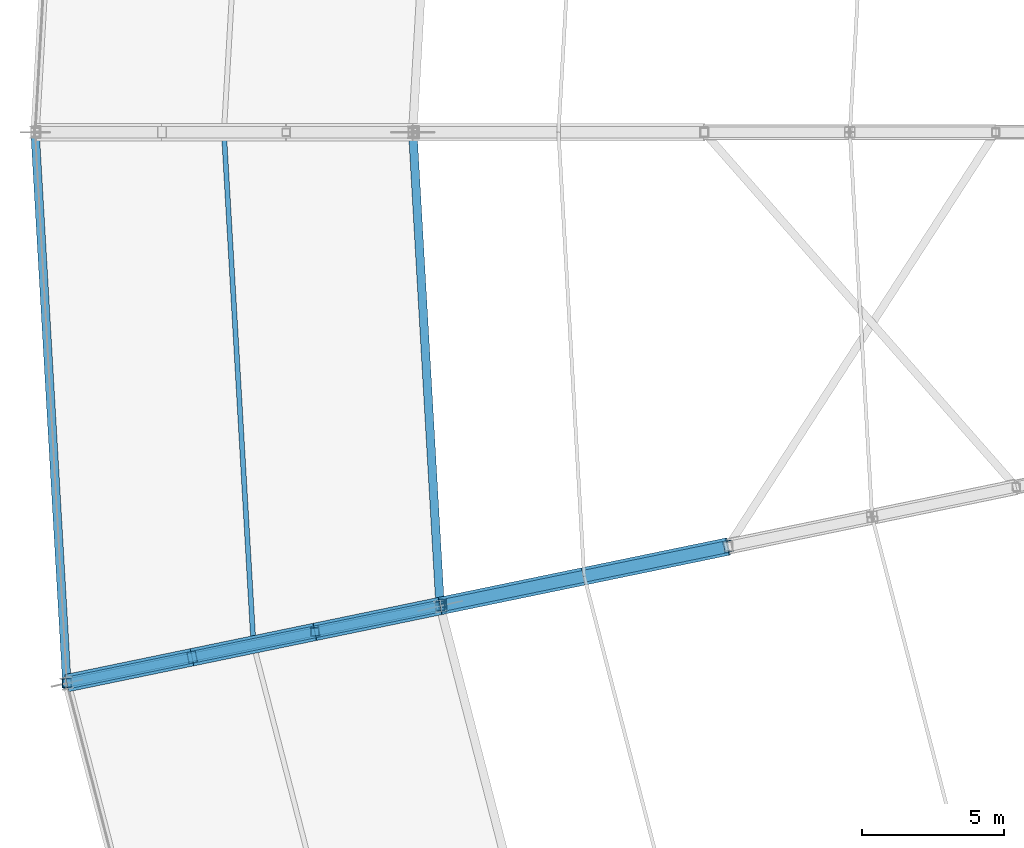
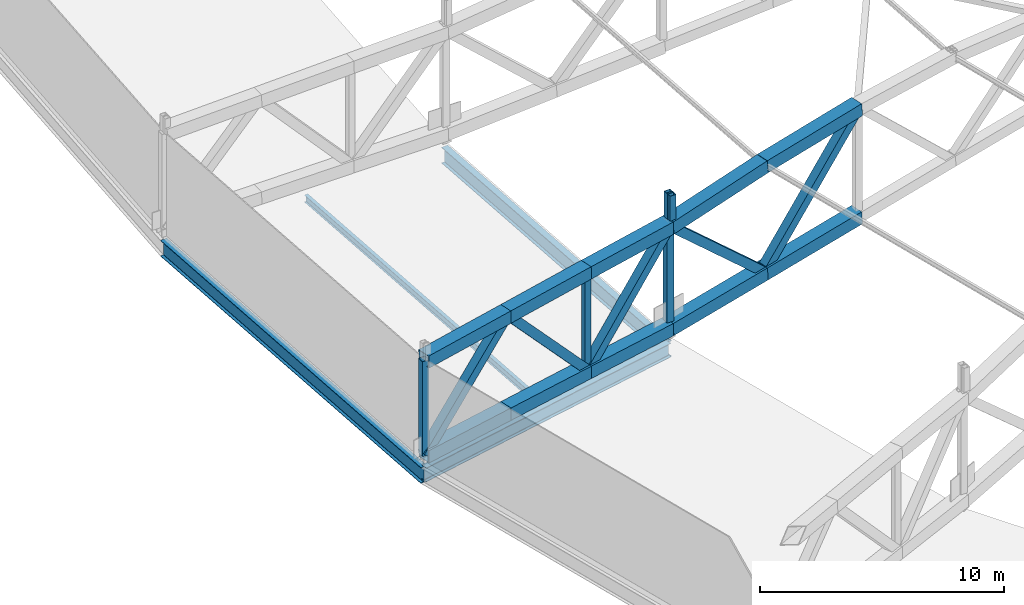
# One storey, part 36 of 162: 20 members, 4 beams.
"""IFC4 building model written with IfcOpenShell, lengths in metres."""

from ifc_helpers import new_model, si_unit, direction, frame, origin, origin_2d, place, context, subcontext, project, spatial, hollow_rectangle, i_section, extrude, material, material_profile, profile_set, type_object, element, save


model = new_model("IFC4")

# Units and contexts
model_context = context("Model", 3, precision=1e-05, world=origin(), true_north=direction((0.0, 1.0)))
body_context = subcontext(model_context, "Body", "Model", "MODEL_VIEW")
ifc_project = project(units=[si_unit("LENGTHUNIT", "METRE"), si_unit("AREAUNIT", "SQUARE_METRE"), si_unit("VOLUMEUNIT", "CUBIC_METRE"), si_unit("PLANEANGLEUNIT", "RADIAN"), si_unit("MASSUNIT", "GRAM", prefix="KILO")], contexts=[model_context])

# Site, building, storey
site_placement = place(None, origin())
site = spatial("IfcSite", under=ifc_project, at=site_placement, CompositionType="ELEMENT")
building_placement = place(site_placement, origin())
building = spatial("IfcBuilding", under=site, at=building_placement, Name="Kazemori Nagisa Stadium", CompositionType="ELEMENT")
storey_placement = place(building_placement, frame((0.0, 0.0, 36.719970703125)))
storey = spatial("IfcBuildingStorey", under=building, at=storey_placement, Name="RF", CompositionType="ELEMENT", Elevation=36.719970703125)

# Beams
ifc_material_1 = material(Name="Steel SN490B", Category="steel")
ifc_material_profile_1 = material_profile(ifc_material_1, i_section(OverallWidth=0.300048828125, OverallDepth=0.699951171875, WebThickness=0.012939453125, FlangeThickness=0.02392578125, FilletRadius=0.01806640625, at=origin_2d()), Name="H-700x300x13x24")
ifc_profile_set_1 = profile_set([ifc_material_profile_1], Name="Steel SN490B")
beam_type_1 = type_object("IfcBeamType", Name="Beam_BG-H700", PredefinedType="BEAM", material=ifc_profile_set_1)
beam_1_placement = place(storey_placement, frame((42.262451171875, 85.31787109375, -0.6298828125), z_axis=(-0.979315516463, -0.202339119339, 0.0), x_axis=(0.202339119339, -0.979315516463, 0.0)))
element("IfcBeam", 1, at=beam_1_placement, inside=storey, type_object=beam_type_1, Name="Radial girder BG-H700 RF R2-R3-16", PredefinedType="BEAM", context=body_context, shape_type="SweptSolid", body=[
    extrude(i_section(OverallWidth=0.300048828125, OverallDepth=0.699951171875, WebThickness=0.012939453125, FlangeThickness=0.02392578125, FilletRadius=0.01806640625, at=origin_2d()), origin(), (0.0, 0.0, 1.0), 13.4208984375),
])
ifc_material_profile_2 = material_profile(ifc_material_1, i_section(OverallWidth=0.300048828125, OverallDepth=0.800048828125, WebThickness=0.013916015625, FlangeThickness=0.02587890625, FilletRadius=0.01806640625, at=origin_2d()), Name="H-800x300x14x26")
ifc_profile_set_2 = profile_set([ifc_material_profile_2], Name="Steel SN490B")
beam_type_2 = type_object("IfcBeamType", Name="Beam_BG-H800", PredefinedType="BEAM", material=ifc_profile_set_2)
beam_2_placement = place(storey_placement, frame((41.300048828125, 102.0, -0.679931640625), z_axis=(0.057594854854, -0.998340038611, 0.0), x_axis=(0.998340038611, 0.057594854854, 0.0)))
element("IfcBeam", 2, at=beam_2_placement, inside=storey, type_object=beam_type_2, Name="Ring girder BG-H800 RF R2-15", PredefinedType="BEAM", context=body_context, shape_type="SweptSolid", body=[
    extrude(i_section(OverallWidth=0.300048828125, OverallDepth=0.800048828125, WebThickness=0.013916015625, FlangeThickness=0.02587890625, FilletRadius=0.01806640625, at=origin_2d()), origin(), (0.0, 0.0, 1.0), 16.7099609375),
])
beam_3_placement = place(storey_placement, frame((28.0, 102.0, -0.679931640625), z_axis=(0.057598702622, -0.998339816624, 0.0), x_axis=(0.998339816624, 0.057598702622, 0.0)))
element("IfcBeam", 3, at=beam_3_placement, inside=storey, type_object=beam_type_2, Name="Roof compression ring beam BG-H800 R3-15", PredefinedType="BEAM", context=body_context, shape_type="SweptSolid", body=[
    extrude(i_section(OverallWidth=0.300048828125, OverallDepth=0.800048828125, WebThickness=0.013916015625, FlangeThickness=0.02587890625, FilletRadius=0.01806640625, at=origin_2d()), origin(), (0.0, 0.0, 1.0), 19.429931640625),
])
ifc_material_profile_3 = material_profile(ifc_material_1, i_section(OverallWidth=0.175048828125, OverallDepth=0.35009765625, WebThickness=0.007080078125, FlangeThickness=0.010986328125, FilletRadius=0.012939453125, at=origin_2d()), Name="H-350x175x7x11")
ifc_profile_set_3 = profile_set([ifc_material_profile_3], Name="Steel SN490B")
beam_type_3 = type_object("IfcBeamType", Name="Beam_BJ-H350", PredefinedType="JOIST", material=ifc_profile_set_3)
beam_4_placement = place(storey_placement, frame((34.658447265625, 101.855224609375, -0.455078125), z_axis=(0.057603114818, -0.998339562055, 0.0), x_axis=(0.998339562055, 0.057603114818, 0.0)))
element("IfcBeam", 4, at=beam_4_placement, inside=storey, type_object=beam_type_3, Name="Outer bay joist BJ-H350 RF B15", PredefinedType="JOIST", context=body_context, shape_type="SweptSolid", body=[
    extrude(i_section(OverallWidth=0.175048828125, OverallDepth=0.35009765625, WebThickness=0.007080078125, FlangeThickness=0.010986328125, FilletRadius=0.012939453125, at=origin_2d()), origin(), (0.0, 0.0, 1.0), 17.77978515625),
])

# Members
ifc_material_2 = material(Name="Steel STKR490", Category="steel")
ifc_material_profile_4 = material_profile(ifc_material_2, hollow_rectangle(XDim=0.280029296875, YDim=0.280029296875, WallThickness=0.010009765625, at=origin_2d()), Name="SHS-280x280x10")
ifc_profile_set_4 = profile_set([ifc_material_profile_4], Name="Steel STKR490")
member_type_1 = type_object("IfcMemberType", Name="Member_ST-SHS280", PredefinedType="STUD", material=ifc_profile_set_4)
member_1_placement = place(storey_placement, frame((42.336669921875, 85.412353515625, 5.56005859375), z_axis=(0.0, 0.0, 1.0), x_axis=(1.0, 0.0, 0.0)))
element("IfcMember", 5, at=member_1_placement, inside=storey, type_object=member_type_1, Name="Canopy bearing stool B15-mid-2", PredefinedType="STUD", context=body_context, shape_type="SweptSolid", body=[
    extrude(hollow_rectangle(XDim=0.280029296875, YDim=0.280029296875, WallThickness=0.010009765625, at=origin_2d()), origin(), (0.0, 0.0, 1.0), 1.5849609375),
])
member_2_placement = place(storey_placement, frame((42.3642578125, 85.25439453125, 5.56005859375), z_axis=(0.0, 0.0, 1.0), x_axis=(1.0, 0.0, 0.0)))
element("IfcMember", 6, at=member_2_placement, inside=storey, type_object=member_type_1, Name="Canopy bearing stool B16-mid-1", PredefinedType="STUD", context=body_context, shape_type="SweptSolid", body=[
    extrude(hollow_rectangle(XDim=0.280029296875, YDim=0.280029296875, WallThickness=0.010009765625, at=origin_2d()), origin(), (0.0, 0.0, 1.0), 1.56689453125),
])
ifc_material_profile_5 = material_profile(ifc_material_2, hollow_rectangle(XDim=0.419921875, YDim=0.419921875, WallThickness=0.01611328125, at=origin_2d()), Name="SHS-420x420x16")
ifc_profile_set_5 = profile_set([ifc_material_profile_5], Name="Steel STKR490")
member_type_2 = type_object("IfcMemberType", Name="Member_TB-SHS420", PredefinedType="BRACE", material=ifc_profile_set_5)
member_3_placement = place(storey_placement, frame((29.119140625, 82.602294921875, 0.360107421875), z_axis=(0.662864139427, 0.136952066432, 0.736108187811), x_axis=(-0.202333241472, 0.979316730887, 0.0)))
element("IfcMember", 7, at=member_3_placement, inside=storey, type_object=member_type_2, Name="Roof space truss diagonal RT-16-1", PredefinedType="BRACE", context=body_context, shape_type="SweptSolid", body=[
    extrude(hollow_rectangle(XDim=0.419921875, YDim=0.419921875, WallThickness=0.01611328125, at=origin_2d()), origin(), (0.0, 0.0, 1.0), 6.656494140625),
])
member_4_placement = place(storey_placement, frame((33.531494140625, 83.513916015625, 5.260009765625), z_axis=(0.661047827979, 0.136589395176, -0.737806957306), x_axis=(-0.202351130202, 0.979313034788, 0.0)))
element("IfcMember", 8, at=member_4_placement, inside=storey, type_object=member_type_2, Name="Roof space truss diagonal RT-16-2", PredefinedType="BRACE", context=body_context, shape_type="SweptSolid", body=[
    extrude(hollow_rectangle(XDim=0.419921875, YDim=0.419921875, WallThickness=0.01611328125, at=origin_2d()), origin(), (0.0, 0.0, 1.0), 6.532958984375),
])
member_5_placement = place(storey_placement, frame((37.85009765625, 84.40625, 0.43994140625), z_axis=(0.646950982028, 0.133664304039, 0.750725169872), x_axis=(-0.202333241472, 0.979316730887, 0.0)))
element("IfcMember", 9, at=member_5_placement, inside=storey, type_object=member_type_2, Name="Roof space truss diagonal RT-16-3", PredefinedType="BRACE", context=body_context, shape_type="SweptSolid", body=[
    extrude(hollow_rectangle(XDim=0.419921875, YDim=0.419921875, WallThickness=0.01611328125, at=origin_2d()), origin(), (0.0, 0.0, 1.0), 6.8203125),
])
member_6_placement = place(storey_placement, frame((42.262451171875, 85.31787109375, 5.56005859375), z_axis=(0.724836115143, 0.149784337591, -0.672441267619), x_axis=(-0.202370113198, 0.979309112224, 0.0)))
element("IfcMember", 10, at=member_6_placement, inside=storey, type_object=member_type_2, Name="Roof space truss diagonal RT-16-4", PredefinedType="BRACE", context=body_context, shape_type="SweptSolid", body=[
    extrude(hollow_rectangle(XDim=0.419921875, YDim=0.419921875, WallThickness=0.01611328125, at=origin_2d()), origin(), (0.0, 0.0, 1.0), 6.994140625),
])
member_7_placement = place(storey_placement, frame((47.33203125, 86.365478515625, 0.85693359375), z_axis=(0.651538155045, 0.134606245372, 0.746578322232), x_axis=(-0.20232488246, 0.979318457876, 0.0)))
element("IfcMember", 11, at=member_7_placement, inside=storey, type_object=member_type_2, Name="Roof space truss diagonal RT-16-5", PredefinedType="BRACE", context=body_context, shape_type="SweptSolid", body=[
    extrude(hollow_rectangle(XDim=0.419921875, YDim=0.419921875, WallThickness=0.01611328125, at=origin_2d()), origin(), (0.0, 0.0, 1.0), 7.781005859375),
])
ifc_material_profile_6 = material_profile(ifc_material_2, hollow_rectangle(XDim=0.6201171875, YDim=0.6201171875, WallThickness=0.02197265625, at=origin_2d()), Name="SHS-620x620x22")
ifc_profile_set_6 = profile_set([ifc_material_profile_6], Name="Steel STKR490")
member_type_3 = type_object("IfcMemberType", Name="Member_TC-SHS620", PredefinedType="CHORD", material=ifc_profile_set_6)
member_8_placement = place(storey_placement, frame((29.119140625, 82.602294921875, 5.10009765625), z_axis=(0.978700488518, 0.202205921769, 0.035469972887), x_axis=(-0.202333241472, 0.979316730887, 0.0)))
element("IfcMember", 12, at=member_8_placement, inside=storey, type_object=member_type_3, Name="Roof space truss top chord RT-16-1", PredefinedType="CHORD", context=body_context, shape_type="SweptSolid", body=[
    extrude(hollow_rectangle(XDim=0.6201171875, YDim=0.6201171875, WallThickness=0.02197265625, at=origin_2d()), origin(), (0.0, 0.0, 1.0), 4.50830078125),
])
member_9_placement = place(storey_placement, frame((29.119140625, 82.602294921875, 0.360107421875), z_axis=(0.97927806384, 0.202325252608, 0.008886272477), x_axis=(-0.202333241472, 0.979316730887, 0.0)))
element("IfcMember", 13, at=member_9_placement, inside=storey, type_object=member_type_3, Name="Roof space truss bottom chord RT-16-1", PredefinedType="CHORD", context=body_context, shape_type="SweptSolid", body=[
    extrude(hollow_rectangle(XDim=0.6201171875, YDim=0.6201171875, WallThickness=0.02197265625, at=origin_2d()), origin(), (0.0, 0.0, 1.0), 4.505615234375),
])
member_10_placement = place(storey_placement, frame((33.531494140625, 83.513916015625, 5.260009765625), z_axis=(0.978669780652, 0.202218217439, 0.0362388324), x_axis=(-0.202351130202, 0.979313034788, 0.0)))
element("IfcMember", 14, at=member_10_placement, inside=storey, type_object=member_type_3, Name="Roof space truss top chord RT-16-2", PredefinedType="CHORD", context=body_context, shape_type="SweptSolid", body=[
    extrude(hollow_rectangle(XDim=0.6201171875, YDim=0.6201171875, WallThickness=0.02197265625, at=origin_2d()), origin(), (0.0, 0.0, 1.0), 4.412841796875),
])
member_11_placement = place(storey_placement, frame((33.531494140625, 83.513916015625, 0.400146484375), z_axis=(0.979273161988, 0.202342891462, 0.009023773272), x_axis=(-0.202351130202, 0.979313034788, 0.0)))
element("IfcMember", 15, at=member_11_placement, inside=storey, type_object=member_type_3, Name="Roof space truss bottom chord RT-16-2", PredefinedType="CHORD", context=body_context, shape_type="SweptSolid", body=[
    extrude(hollow_rectangle(XDim=0.6201171875, YDim=0.6201171875, WallThickness=0.02197265625, at=origin_2d()), origin(), (0.0, 0.0, 1.0), 4.409912109375),
])
member_12_placement = place(storey_placement, frame((37.85009765625, 84.40625, 5.419921875), z_axis=(0.978843374928, 0.202235443035, 0.031088147912), x_axis=(-0.202333241472, 0.979316730887, 0.0)))
element("IfcMember", 16, at=member_12_placement, inside=storey, type_object=member_type_3, Name="Roof space truss top chord RT-16-3", PredefinedType="CHORD", context=body_context, shape_type="SweptSolid", body=[
    extrude(hollow_rectangle(XDim=0.6201171875, YDim=0.6201171875, WallThickness=0.02197265625, at=origin_2d()), origin(), (0.0, 0.0, 1.0), 4.5078125),
])
member_13_placement = place(storey_placement, frame((37.85009765625, 84.40625, 0.43994140625), z_axis=(0.97927806384, 0.202325252608, 0.008886272477), x_axis=(-0.202333241472, 0.979316730887, 0.0)))
element("IfcMember", 17, at=member_13_placement, inside=storey, type_object=member_type_3, Name="Roof space truss bottom chord RT-16-3", PredefinedType="CHORD", context=body_context, shape_type="SweptSolid", body=[
    extrude(hollow_rectangle(XDim=0.6201171875, YDim=0.6201171875, WallThickness=0.02197265625, at=origin_2d()), origin(), (0.0, 0.0, 1.0), 4.505615234375),
])
member_14_placement = place(storey_placement, frame((42.262451171875, 85.31787109375, 5.56005859375), z_axis=(0.971401606414, 0.200736060348, 0.126822526125), x_axis=(-0.202370113198, 0.979309112224, 0.0)))
element("IfcMember", 18, at=member_14_placement, inside=storey, type_object=member_type_3, Name="Roof space truss top chord RT-16-4", PredefinedType="CHORD", context=body_context, shape_type="SweptSolid", body=[
    extrude(hollow_rectangle(XDim=0.6201171875, YDim=0.6201171875, WallThickness=0.02197265625, at=origin_2d()), origin(), (0.0, 0.0, 1.0), 5.21875),
])
member_15_placement = place(storey_placement, frame((42.262451171875, 85.31787109375, 0.47998046875), z_axis=(0.976723060532, 0.201835716482, 0.072625109822), x_axis=(-0.202370113198, 0.979309112224, 0.0)))
element("IfcMember", 19, at=member_15_placement, inside=storey, type_object=member_type_3, Name="Roof space truss bottom chord RT-16-4", PredefinedType="CHORD", context=body_context, shape_type="SweptSolid", body=[
    extrude(hollow_rectangle(XDim=0.6201171875, YDim=0.6201171875, WallThickness=0.02197265625, at=origin_2d()), origin(), (0.0, 0.0, 1.0), 5.1904296875),
])
member_16_placement = place(storey_placement, frame((47.33203125, 86.365478515625, 6.221923828125), z_axis=(0.975734571345, 0.20158445996, 0.085473690598), x_axis=(-0.20232488246, 0.979318457876, 0.0)))
element("IfcMember", 20, at=member_16_placement, inside=storey, type_object=member_type_3, Name="Roof space truss top chord RT-16-5", PredefinedType="CHORD", context=body_context, shape_type="SweptSolid", body=[
    extrude(hollow_rectangle(XDim=0.6201171875, YDim=0.6201171875, WallThickness=0.02197265625, at=origin_2d()), origin(), (0.0, 0.0, 1.0), 5.195556640625),
])
member_17_placement = place(storey_placement, frame((47.33203125, 86.365478515625, 0.85693359375), z_axis=(0.976434002432, 0.201728960772, 0.076694623548), x_axis=(-0.20232488246, 0.979318457876, 0.0)))
element("IfcMember", 21, at=member_17_placement, inside=storey, type_object=member_type_3, Name="Roof space truss bottom chord RT-16-5", PredefinedType="CHORD", context=body_context, shape_type="SweptSolid", body=[
    extrude(hollow_rectangle(XDim=0.6201171875, YDim=0.6201171875, WallThickness=0.02197265625, at=origin_2d()), origin(), (0.0, 0.0, 1.0), 5.19189453125),
])
ifc_material_profile_7 = material_profile(ifc_material_2, hollow_rectangle(XDim=0.280029296875, YDim=0.280029296875, WallThickness=0.010009765625, at=origin_2d()), Name="SHS-280x280x10")
ifc_profile_set_7 = profile_set([ifc_material_profile_7], Name="Steel STKR490")
member_type_4 = type_object("IfcMemberType", Name="Member_TS-SHS280", PredefinedType="STRUT", material=ifc_profile_set_7)
member_18_placement = place(storey_placement, frame((37.85009765625, 84.40625, 0.43994140625), z_axis=(0.0, 0.0, 1.0), x_axis=(1.0, 0.0, 0.0)))
element("IfcMember", 22, at=member_18_placement, inside=storey, type_object=member_type_4, Name="Roof space truss strut RT-16-3", PredefinedType="STRUT", context=body_context, shape_type="SweptSolid", body=[
    extrude(hollow_rectangle(XDim=0.280029296875, YDim=0.280029296875, WallThickness=0.010009765625, at=origin_2d()), origin(), (0.0, 0.0, 1.0), 4.97998046875),
])
ifc_material_profile_8 = material_profile(ifc_material_2, hollow_rectangle(XDim=0.320068359375, YDim=0.320068359375, WallThickness=0.011962890625, at=origin_2d()), Name="SHS-320x320x12")
ifc_profile_set_8 = profile_set([ifc_material_profile_8], Name="Steel STKR490")
member_type_5 = type_object("IfcMemberType", Name="Member_TS-SHS320", PredefinedType="STRUT", material=ifc_profile_set_8)
member_19_placement = place(storey_placement, frame((29.119140625, 82.602294921875, 0.360107421875), z_axis=(0.0, 0.0, 1.0), x_axis=(1.0, 0.0, 0.0)))
element("IfcMember", 23, at=member_19_placement, inside=storey, type_object=member_type_5, Name="Roof space truss strut RT-16-1", PredefinedType="STRUT", context=body_context, shape_type="SweptSolid", body=[
    extrude(hollow_rectangle(XDim=0.320068359375, YDim=0.320068359375, WallThickness=0.011962890625, at=origin_2d()), origin(), (0.0, 0.0, 1.0), 4.739990234375),
])
member_20_placement = place(storey_placement, frame((42.262451171875, 85.31787109375, 0.47998046875), z_axis=(0.0, 0.0, 1.0), x_axis=(1.0, 0.0, 0.0)))
element("IfcMember", 24, at=member_20_placement, inside=storey, type_object=member_type_5, Name="Roof space truss strut RT-16-4", PredefinedType="STRUT", context=body_context, shape_type="SweptSolid", body=[
    extrude(hollow_rectangle(XDim=0.320068359375, YDim=0.320068359375, WallThickness=0.011962890625, at=origin_2d()), origin(), (0.0, 0.0, 1.0), 5.080078125),
])

save(model, "model.ifc")
